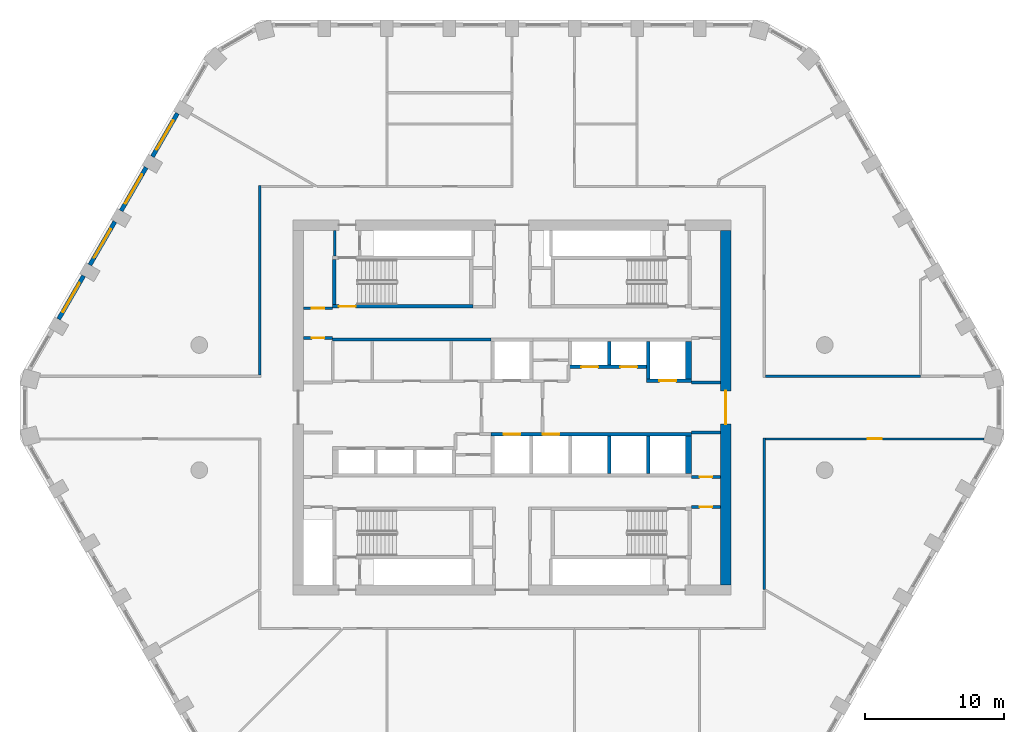
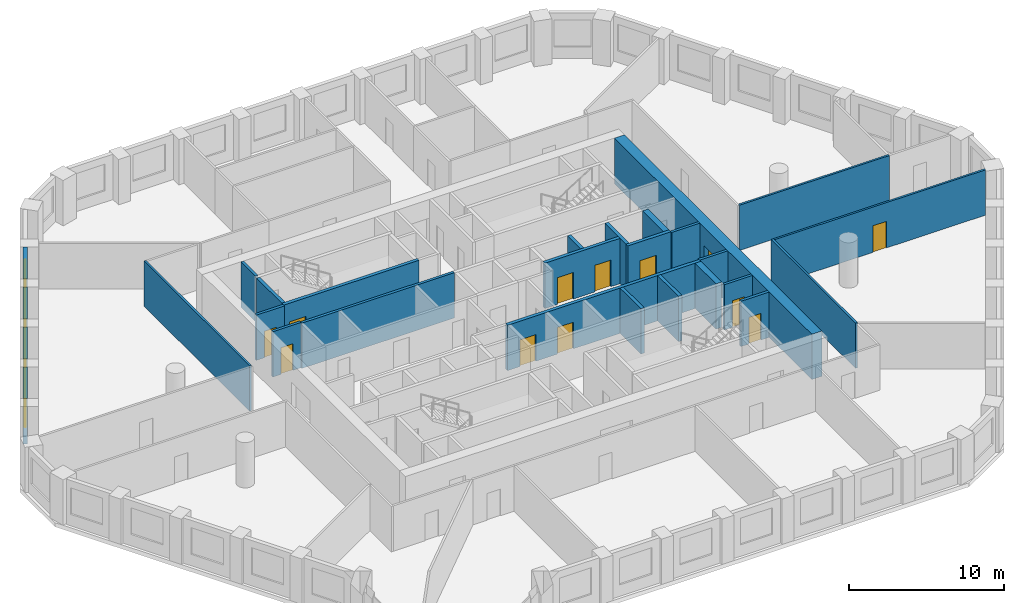
# One storey, part 5 of 9: 28 walls, 12 doors, 4 windows, 16 openings.
"""IFC4 building model written with IfcOpenShell, lengths in metres."""

from ifc_helpers import new_model, si_unit, direction, frame, frame_2d, origin, place, context, subcontext, project, spatial, polyline, rectangle, outline, extrude, material, layer, layer_set, type_object, element, fill, save


model = new_model("IFC4")

# Units and contexts
model_context = context("Model", 3, precision=1e-05, world=origin(), true_north=direction((0.0, 1.0)))
body_context = subcontext(model_context, "Body", "Model", "MODEL_VIEW")
ifc_project = project(units=[si_unit("LENGTHUNIT", "METRE"), si_unit("AREAUNIT", "SQUARE_METRE"), si_unit("VOLUMEUNIT", "CUBIC_METRE"), si_unit("PLANEANGLEUNIT", "RADIAN"), si_unit("MASSUNIT", "GRAM", prefix="KILO")], contexts=[model_context])

# Site, building, storey
site_placement = place(None, origin())
site = spatial("IfcSite", under=ifc_project, at=site_placement, CompositionType="ELEMENT")
building_placement = place(site_placement, origin())
building = spatial("IfcBuilding", under=site, at=building_placement, Name="Dhurran Vertical Campus", CompositionType="ELEMENT")
storey_placement = place(building_placement, frame((0.0, 0.0, 163.800048828125)))
storey = spatial("IfcBuildingStorey", under=building, at=storey_placement, Name="L40", CompositionType="ELEMENT", Elevation=163.800048828125)

# Wall, opening, window
ifc_material_1 = material(Name="Precast concrete C50/60", Category="concrete")
ifc_layer_1 = layer(ifc_material_1, 0.300048828125)
ifc_layer_set_1 = layer_set([ifc_layer_1], Name="Precast concrete C50/60")
wall_type_1 = type_object("IfcWallType", Name="Precast spandrel wall 300", PredefinedType="SOLIDWALL", material=ifc_layer_set_1)
wall_1_placement = place(storey_placement, frame((-24.0693359375, 21.17041015625, 0.0), z_axis=(0.0, 0.0, 1.0), x_axis=(-0.500027802648, -0.866009351323, 0.0)))
wall_1 = element("IfcWall", 1, at=wall_1_placement, inside=storey, type_object=wall_type_1, Name="EW1 L40.33", PredefinedType="SOLIDWALL", context=body_context, shape_type="SweptSolid", body=[
    extrude(rectangle(XDim=3.598876953125, YDim=0.300048828125, at=frame_2d((1.79931640625, 0.0))), origin(), (0.0, 0.0, 1.0), 3.574951171875),
])
opening_1_placement = place(wall_1_placement, frame((0.599609375, 0.0, 0.89990234375)))
opening_1 = element("IfcOpeningElement", 2, at=opening_1_placement, cuts=wall_1, Name="Opening WT1", PredefinedType="OPENING", context=body_context, shape_type="SweptSolid", body=[
    extrude(rectangle(XDim=2.39990234375, YDim=2.10009765625, at=frame_2d((1.199951171875, 1.050048828125))), frame((0.0, 0.159912109375, 0.0), z_axis=(0.0, -1.0, 0.0), x_axis=(1.0, 0.0, 0.0)), (0.0, 0.0, 1.0), 0.320068359375),
])
ifc_material_2 = material(Name="Aluminium frame with solar-control glass", Category="aluminium")
window_type = type_object("IfcWindowType", Name="Punched window 2400 x 2100", PartitioningType="SINGLE_PANEL", PredefinedType="WINDOW", material=ifc_material_2)
window_1_placement = place(opening_1_placement, origin())
window_1 = element("IfcWindow", 3, at=window_1_placement, inside=storey, type_object=window_type, Name="WT1 L40.33", OverallHeight=2.10009765625, OverallWidth=2.39990234375, PartitioningType="SINGLE_PANEL", PredefinedType="WINDOW", context=body_context, shape_type="SweptSolid", body=[
    extrude(rectangle(XDim=2.39990234375, YDim=2.10009765625, at=frame_2d((1.199951171875, 1.050048828125))), frame((0.0, 0.030029296875, 0.0), z_axis=(0.0, -1.0, 0.0), x_axis=(1.0, 0.0, 0.0)), (0.0, 0.0, 1.0), 0.06005859375),
])
fill(opening_1, window_1)

wall_2_placement = place(storey_placement, frame((-26.3193359375, 17.273193359375, 0.0), z_axis=(0.0, 0.0, 1.0), x_axis=(-0.500027802648, -0.866009351323, 0.0)))
wall_2 = element("IfcWall", 4, at=wall_2_placement, inside=storey, type_object=wall_type_1, Name="EW1 L40.34", PredefinedType="SOLIDWALL", context=body_context, shape_type="SweptSolid", body=[
    extrude(rectangle(XDim=3.598876953125, YDim=0.300048828125, at=frame_2d((1.79931640625, 0.0))), origin(), (0.0, 0.0, 1.0), 3.574951171875),
])
opening_2_placement = place(wall_2_placement, frame((0.599609375, 0.0, 0.89990234375)))
opening_2 = element("IfcOpeningElement", 5, at=opening_2_placement, cuts=wall_2, Name="Opening WT1", PredefinedType="OPENING", context=body_context, shape_type="SweptSolid", body=[
    extrude(rectangle(XDim=2.39990234375, YDim=2.10009765625, at=frame_2d((1.199951171875, 1.050048828125))), frame((0.0, 0.159912109375, 0.0), z_axis=(0.0, -1.0, 0.0), x_axis=(1.0, 0.0, 0.0)), (0.0, 0.0, 1.0), 0.320068359375),
])
window_2_placement = place(opening_2_placement, origin())
window_2 = element("IfcWindow", 6, at=window_2_placement, inside=storey, type_object=window_type, Name="WT1 L40.34", OverallHeight=2.10009765625, OverallWidth=2.39990234375, PartitioningType="SINGLE_PANEL", PredefinedType="WINDOW", context=body_context, shape_type="SweptSolid", body=[
    extrude(rectangle(XDim=2.39990234375, YDim=2.10009765625, at=frame_2d((1.199951171875, 1.050048828125))), frame((0.0, 0.030029296875, 0.0), z_axis=(0.0, -1.0, 0.0), x_axis=(1.0, 0.0, 0.0)), (0.0, 0.0, 1.0), 0.06005859375),
])
fill(opening_2, window_2)

wall_3_placement = place(storey_placement, frame((-28.5693359375, 13.376220703125, 0.0), z_axis=(0.0, 0.0, 1.0), x_axis=(-0.500027802648, -0.866009351323, 0.0)))
wall_3 = element("IfcWall", 7, at=wall_3_placement, inside=storey, type_object=wall_type_1, Name="EW1 L40.35", PredefinedType="SOLIDWALL", context=body_context, shape_type="SweptSolid", body=[
    extrude(rectangle(XDim=3.598876953125, YDim=0.300048828125, at=frame_2d((1.79931640625, 0.0))), origin(), (0.0, 0.0, 1.0), 3.574951171875),
])
opening_3_placement = place(wall_3_placement, frame((0.599609375, 0.0, 0.89990234375)))
opening_3 = element("IfcOpeningElement", 8, at=opening_3_placement, cuts=wall_3, Name="Opening WT1", PredefinedType="OPENING", context=body_context, shape_type="SweptSolid", body=[
    extrude(rectangle(XDim=2.39990234375, YDim=2.10009765625, at=frame_2d((1.199951171875, 1.050048828125))), frame((0.0, 0.159912109375, 0.0), z_axis=(0.0, -1.0, 0.0), x_axis=(1.0, 0.0, 0.0)), (0.0, 0.0, 1.0), 0.320068359375),
])
window_3_placement = place(opening_3_placement, origin())
window_3 = element("IfcWindow", 9, at=window_3_placement, inside=storey, type_object=window_type, Name="WT1 L40.35", OverallHeight=2.10009765625, OverallWidth=2.39990234375, PartitioningType="SINGLE_PANEL", PredefinedType="WINDOW", context=body_context, shape_type="SweptSolid", body=[
    extrude(rectangle(XDim=2.39990234375, YDim=2.10009765625, at=frame_2d((1.199951171875, 1.050048828125))), frame((0.0, 0.030029296875, 0.0), z_axis=(0.0, -1.0, 0.0), x_axis=(1.0, 0.0, 0.0)), (0.0, 0.0, 1.0), 0.06005859375),
])
fill(opening_3, window_3)

wall_4_placement = place(storey_placement, frame((-30.8193359375, 9.47900390625, 0.0), z_axis=(0.0, 0.0, 1.0), x_axis=(-0.500027802648, -0.866009351323, 0.0)))
wall_4 = element("IfcWall", 10, at=wall_4_placement, inside=storey, type_object=wall_type_1, Name="EW1 L40.36", PredefinedType="SOLIDWALL", context=body_context, shape_type="SweptSolid", body=[
    extrude(rectangle(XDim=3.598876953125, YDim=0.300048828125, at=frame_2d((1.79931640625, 0.0))), origin(), (0.0, 0.0, 1.0), 3.574951171875),
])
opening_4_placement = place(wall_4_placement, frame((0.599609375, 0.0, 0.89990234375)))
opening_4 = element("IfcOpeningElement", 11, at=opening_4_placement, cuts=wall_4, Name="Opening WT1", PredefinedType="OPENING", context=body_context, shape_type="SweptSolid", body=[
    extrude(rectangle(XDim=2.39990234375, YDim=2.10009765625, at=frame_2d((1.199951171875, 1.050048828125))), frame((0.0, 0.159912109375, 0.0), z_axis=(0.0, -1.0, 0.0), x_axis=(1.0, 0.0, 0.0)), (0.0, 0.0, 1.0), 0.320068359375),
])
window_4_placement = place(opening_4_placement, origin())
window_4 = element("IfcWindow", 12, at=window_4_placement, inside=storey, type_object=window_type, Name="WT1 L40.36", OverallHeight=2.10009765625, OverallWidth=2.39990234375, PartitioningType="SINGLE_PANEL", PredefinedType="WINDOW", context=body_context, shape_type="SweptSolid", body=[
    extrude(rectangle(XDim=2.39990234375, YDim=2.10009765625, at=frame_2d((1.199951171875, 1.050048828125))), frame((0.0, 0.030029296875, 0.0), z_axis=(0.0, -1.0, 0.0), x_axis=(1.0, 0.0, 0.0)), (0.0, 0.0, 1.0), 0.06005859375),
])
fill(opening_4, window_4)

# Wall, opening, door
ifc_material_3 = material(Name="Concrete C60/75", Category="concrete")
ifc_layer_2 = layer(ifc_material_3, 0.75)
ifc_layer_set_2 = layer_set([ifc_layer_2], Name="Concrete C60/75")
wall_type_2 = type_object("IfcWallType", Name="co-CORE-WALL-C1-750", PredefinedType="SHEAR", material=ifc_layer_set_2)
wall_5_placement = place(storey_placement, frame((15.375, -12.75, 0.0), z_axis=(0.0, 0.0, 1.0), x_axis=(0.0, 1.0, 0.0)))
wall_5 = element("IfcWall", 13, at=wall_5_placement, inside=storey, type_object=wall_type_2, Name="Core wall E L40", PredefinedType="SHEAR", context=body_context, shape_type="SweptSolid", body=[
    extrude(rectangle(XDim=25.5, YDim=0.75, at=frame_2d((12.75, 0.0))), origin(), (0.0, 0.0, 1.0), 3.574951171875),
])
opening_5_placement = place(wall_5_placement, frame((11.550048828125, 0.0, 0.0)))
opening_5 = element("IfcOpeningElement", 14, at=opening_5_placement, cuts=wall_5, Name="Opening CL2", PredefinedType="OPENING", context=body_context, shape_type="SweptSolid", body=[
    extrude(rectangle(XDim=2.39990234375, YDim=2.10009765625, at=frame_2d((1.199951171875, 1.050048828125))), frame((0.0, 0.385009765625, 0.0), z_axis=(0.0, -1.0, 0.0), x_axis=(1.0, 0.0, 0.0)), (0.0, 0.0, 1.0), 0.77001953125),
])
ifc_material_4 = material(Name="Fire-rated glazed door set")
door_type_1 = type_object("IfcDoorType", Name="co-D-LOBBY 2400x2100", OperationType="DOUBLE_DOOR_DOUBLE_SWING", PredefinedType="DOOR", material=ifc_material_4)
door_1_placement = place(opening_5_placement, origin())
door_1 = element("IfcDoor", 15, at=door_1_placement, inside=storey, type_object=door_type_1, Name="Lift lobby door E L40", OperationType="DOUBLE_DOOR_DOUBLE_SWING", OverallHeight=2.10009765625, OverallWidth=2.39990234375, PredefinedType="DOOR", context=body_context, shape_type="SweptSolid", body=[
    extrude(rectangle(XDim=2.39990234375, YDim=2.10009765625, at=frame_2d((1.199951171875, 1.050048828125))), frame((0.0, 0.02490234375, 0.0), z_axis=(0.0, -1.0, 0.0), x_axis=(1.0, 0.0, 0.0)), (0.0, 0.0, 1.0), 0.050048828125),
])
fill(opening_5, door_1)

# Wall
ifc_material_5 = material(Name="Fire-rated masonry blockwork", Category="masonry")
ifc_layer_3 = layer(ifc_material_5, 0.199951171875)
ifc_layer_set_3 = layer_set([ifc_layer_3], Name="Fire-rated masonry blockwork")
wall_type_3 = type_object("IfcWallType", Name="co-FIRE-PARTITION-200", PredefinedType="PARTITIONING", material=ifc_layer_set_3)
wall_6_placement = place(storey_placement, frame((-12.75, 10.89990234375, 0.0), z_axis=(0.0, 0.0, 1.0), x_axis=(0.0, 1.0, 0.0)))
element("IfcWall", 16, at=wall_6_placement, inside=storey, type_object=wall_type_3, Name="Core partition pass-ST1-o L40", PredefinedType="PARTITIONING", context=body_context, shape_type="SweptSolid", body=[
    extrude(rectangle(XDim=1.85009765625, YDim=0.199951171875, at=frame_2d((0.925048828125, 0.0))), origin(), (0.0, 0.0, 1.0), 3.574951171875),
])

# Wall, opening, door
wall_7_placement = place(storey_placement, frame((-15.0, 7.14990234375, 0.0), z_axis=(0.0, 0.0, 1.0), x_axis=(1.0, 0.0, 0.0)))
wall_7 = element("IfcWall", 17, at=wall_7_placement, inside=storey, type_object=wall_type_3, Name="Core partition en-NW-w L40", PredefinedType="PARTITIONING", context=body_context, shape_type="SweptSolid", body=[
    extrude(rectangle(XDim=2.10009765625, YDim=0.199951171875, at=frame_2d((1.050048828125, 0.0))), origin(), (0.0, 0.0, 1.0), 3.574951171875),
])
opening_6_placement = place(wall_7_placement, frame((0.60009765625, 0.0, 0.0)))
opening_6 = element("IfcOpeningElement", 18, at=opening_6_placement, cuts=wall_7, Name="Opening T11-C12", PredefinedType="OPENING", context=body_context, shape_type="SweptSolid", body=[
    extrude(rectangle(XDim=0.89990234375, YDim=2.10009765625, at=frame_2d((0.449951171875, 1.050048828125))), frame((0.0, 0.10986328125, 0.0), z_axis=(0.0, -1.0, 0.0), x_axis=(1.0, 0.0, 0.0)), (0.0, 0.0, 1.0), 0.219970703125),
])
ifc_material_6 = material(Name="Fire-rated timber door set", Category="wood")
door_type_2 = type_object("IfcDoorType", Name="co-D-ROOM 900x2100", OperationType="SINGLE_SWING_LEFT", PredefinedType="DOOR", material=ifc_material_6)
door_2_placement = place(opening_6_placement, origin())
door_2 = element("IfcDoor", 19, at=door_2_placement, inside=storey, type_object=door_type_2, Name="Communications room door L40", OperationType="SINGLE_SWING_LEFT", OverallHeight=2.10009765625, OverallWidth=0.89990234375, PredefinedType="DOOR", context=body_context, shape_type="SweptSolid", body=[
    extrude(rectangle(XDim=0.89990234375, YDim=2.10009765625, at=frame_2d((0.449951171875, 1.050048828125))), frame((0.0, 0.02490234375, 0.0), z_axis=(0.0, -1.0, 0.0), x_axis=(1.0, 0.0, 0.0)), (0.0, 0.0, 1.0), 0.050048828125),
])
fill(opening_6, door_2)

wall_8_placement = place(storey_placement, frame((-15.0, 5.0, 0.0), z_axis=(0.0, 0.0, 1.0), x_axis=(1.0, 0.0, 0.0)))
wall_8 = element("IfcWall", 20, at=wall_8_placement, inside=storey, type_object=wall_type_3, Name="Core partition es-NW-w L40", PredefinedType="PARTITIONING", context=body_context, shape_type="SweptSolid", body=[
    extrude(rectangle(XDim=2.10009765625, YDim=0.199951171875, at=frame_2d((1.050048828125, 0.0))), origin(), (0.0, 0.0, 1.0), 3.574951171875),
])
opening_7_placement = place(wall_8_placement, frame((0.60009765625, 0.0, 0.0)))
opening_7 = element("IfcOpeningElement", 21, at=opening_7_placement, cuts=wall_8, Name="Opening T11-C13", PredefinedType="OPENING", context=body_context, shape_type="SweptSolid", body=[
    extrude(rectangle(XDim=0.89990234375, YDim=2.10009765625, at=frame_2d((0.449951171875, 1.050048828125))), frame((0.0, 0.10986328125, 0.0), z_axis=(0.0, -1.0, 0.0), x_axis=(1.0, 0.0, 0.0)), (0.0, 0.0, 1.0), 0.219970703125),
])
door_3_placement = place(opening_7_placement, origin())
door_3 = element("IfcDoor", 22, at=door_3_placement, inside=storey, type_object=door_type_2, Name="Server room door L40", OperationType="SINGLE_SWING_LEFT", OverallHeight=2.10009765625, OverallWidth=0.89990234375, PredefinedType="DOOR", context=body_context, shape_type="SweptSolid", body=[
    extrude(rectangle(XDim=0.89990234375, YDim=2.10009765625, at=frame_2d((0.449951171875, 1.050048828125))), frame((0.0, 0.02490234375, 0.0), z_axis=(0.0, -1.0, 0.0), x_axis=(1.0, 0.0, 0.0)), (0.0, 0.0, 1.0), 0.050048828125),
])
fill(opening_7, door_3)

# Wall
wall_9_placement = place(storey_placement, frame((12.89990234375, 1.800048828125, 0.0), z_axis=(0.0, 0.0, 1.0), x_axis=(1.0, 0.0, 0.0)))
element("IfcWall", 23, at=wall_9_placement, inside=storey, type_object=wall_type_3, Name="Core partition es-NE-l L40", PredefinedType="PARTITIONING", context=body_context, shape_type="SweptSolid", body=[
    extrude(rectangle(XDim=2.10009765625, YDim=0.199951171875, at=frame_2d((1.050048828125, 0.0))), origin(), (0.0, 0.0, 1.0), 3.574951171875),
])

# Wall, opening, door
wall_10_placement = place(storey_placement, frame((12.89990234375, -7.14990234375, 0.0), z_axis=(0.0, 0.0, 1.0), x_axis=(1.0, 0.0, 0.0)))
wall_10 = element("IfcWall", 24, at=wall_10_placement, inside=storey, type_object=wall_type_3, Name="Core partition en-SE-w L40", PredefinedType="PARTITIONING", context=body_context, shape_type="SweptSolid", body=[
    extrude(rectangle(XDim=2.10009765625, YDim=0.199951171875, at=frame_2d((1.050048828125, 0.0))), origin(), (0.0, 0.0, 1.0), 3.574951171875),
])
opening_8_placement = place(wall_10_placement, frame((0.60009765625, 0.0, 0.0)))
opening_8 = element("IfcOpeningElement", 25, at=opening_8_placement, cuts=wall_10, Name="Opening T11-C18", PredefinedType="OPENING", context=body_context, shape_type="SweptSolid", body=[
    extrude(rectangle(XDim=0.89990234375, YDim=2.10009765625, at=frame_2d((0.449951171875, 1.050048828125))), frame((0.0, 0.10986328125, 0.0), z_axis=(0.0, -1.0, 0.0), x_axis=(1.0, 0.0, 0.0)), (0.0, 0.0, 1.0), 0.219970703125),
])
door_4_placement = place(opening_8_placement, origin())
door_4 = element("IfcDoor", 26, at=door_4_placement, inside=storey, type_object=door_type_2, Name="Print room door L40", OperationType="SINGLE_SWING_LEFT", OverallHeight=2.10009765625, OverallWidth=0.89990234375, PredefinedType="DOOR", context=body_context, shape_type="SweptSolid", body=[
    extrude(rectangle(XDim=0.89990234375, YDim=2.10009765625, at=frame_2d((0.449951171875, 1.050048828125))), frame((0.0, 0.02490234375, 0.0), z_axis=(0.0, -1.0, 0.0), x_axis=(1.0, 0.0, 0.0)), (0.0, 0.0, 1.0), 0.050048828125),
])
fill(opening_8, door_4)

wall_11_placement = place(storey_placement, frame((12.89990234375, -5.0, 0.0), z_axis=(0.0, 0.0, 1.0), x_axis=(1.0, 0.0, 0.0)))
wall_11 = element("IfcWall", 27, at=wall_11_placement, inside=storey, type_object=wall_type_3, Name="Core partition es-SE-w L40", PredefinedType="PARTITIONING", context=body_context, shape_type="SweptSolid", body=[
    extrude(rectangle(XDim=2.10009765625, YDim=0.199951171875, at=frame_2d((1.050048828125, 0.0))), origin(), (0.0, 0.0, 1.0), 3.574951171875),
])
opening_9_placement = place(wall_11_placement, frame((0.60009765625, 0.0, 0.0)))
opening_9 = element("IfcOpeningElement", 28, at=opening_9_placement, cuts=wall_11, Name="Opening T11-C19", PredefinedType="OPENING", context=body_context, shape_type="SweptSolid", body=[
    extrude(rectangle(XDim=0.89990234375, YDim=2.10009765625, at=frame_2d((0.449951171875, 1.050048828125))), frame((0.0, 0.10986328125, 0.0), z_axis=(0.0, -1.0, 0.0), x_axis=(1.0, 0.0, 0.0)), (0.0, 0.0, 1.0), 0.219970703125),
])
door_5_placement = place(opening_9_placement, origin())
door_5 = element("IfcDoor", 29, at=door_5_placement, inside=storey, type_object=door_type_2, Name="Pantry door L40", OperationType="SINGLE_SWING_LEFT", OverallHeight=2.10009765625, OverallWidth=0.89990234375, PredefinedType="DOOR", context=body_context, shape_type="SweptSolid", body=[
    extrude(rectangle(XDim=0.89990234375, YDim=2.10009765625, at=frame_2d((0.449951171875, 1.050048828125))), frame((0.0, 0.02490234375, 0.0), z_axis=(0.0, -1.0, 0.0), x_axis=(1.0, 0.0, 0.0)), (0.0, 0.0, 1.0), 0.050048828125),
])
fill(opening_9, door_5)

# Walls
wall_12_placement = place(storey_placement, frame((12.89990234375, -1.800048828125, 0.0), z_axis=(0.0, 0.0, 1.0), x_axis=(1.0, 0.0, 0.0)))
element("IfcWall", 30, at=wall_12_placement, inside=storey, type_object=wall_type_3, Name="Core partition es-SE-l L40", PredefinedType="PARTITIONING", context=body_context, shape_type="SweptSolid", body=[
    extrude(rectangle(XDim=2.10009765625, YDim=0.199951171875, at=frame_2d((1.050048828125, 0.0))), origin(), (0.0, 0.0, 1.0), 3.574951171875),
])
wall_13_placement = place(storey_placement, frame((-12.89990234375, 4.89990234375, 0.0), z_axis=(0.0, 0.0, 1.0), x_axis=(1.0, 0.0, 0.0)))
element("IfcWall", 31, at=wall_13_placement, inside=storey, type_object=wall_type_3, Name="Core partition fr-N0-b L40", PredefinedType="PARTITIONING", context=body_context, shape_type="SweptSolid", body=[
    extrude(rectangle(XDim=11.375, YDim=0.199951171875, at=frame_2d((5.6875, 0.0))), origin(), (0.0, 0.0, 1.0), 3.574951171875),
])

# Wall, openings, doors
ifc_material_7 = material(Name="Concrete C50/60", Category="concrete")
ifc_layer_4 = layer(ifc_material_7, 0.25)
ifc_layer_set_4 = layer_set([ifc_layer_4], Name="Concrete C50/60")
wall_type_4 = type_object("IfcWallType", Name="co-SHAFT-FRONT-250", PredefinedType="SHEAR", material=ifc_layer_set_4)
wall_14_placement = place(storey_placement, frame((4.074951171875, 2.925048828125, 0.0), z_axis=(0.0, 0.0, 1.0), x_axis=(1.0, 0.0, 0.0)))
wall_14 = element("IfcWall", 32, at=wall_14_placement, inside=storey, type_object=wall_type_4, Name="Lift landing wall N L40", PredefinedType="SHEAR", context=body_context, shape_type="SweptSolid", body=[
    extrude(rectangle(XDim=5.85009765625, YDim=0.25, at=frame_2d((2.925048828125, 0.0))), origin(), (0.0, 0.0, 1.0), 3.574951171875),
])
opening_10_placement = place(wall_14_placement, frame((0.925048828125, 0.0, 0.0)))
opening_10 = element("IfcOpeningElement", 33, at=opening_10_placement, cuts=wall_14, Name="Opening LD", PredefinedType="OPENING", context=body_context, shape_type="SweptSolid", body=[
    extrude(rectangle(XDim=1.199951171875, YDim=2.10009765625, at=frame_2d((0.60009765625, 1.050048828125))), frame((0.0, 0.135009765625, 0.0), z_axis=(0.0, -1.0, 0.0), x_axis=(1.0, 0.0, 0.0)), (0.0, 0.0, 1.0), 0.27001953125),
])
opening_11_placement = place(wall_14_placement, frame((3.72509765625, 0.0, 0.0)))
opening_11 = element("IfcOpeningElement", 34, at=opening_11_placement, cuts=wall_14, Name="Opening LD", PredefinedType="OPENING", context=body_context, shape_type="SweptSolid", body=[
    extrude(rectangle(XDim=1.199951171875, YDim=2.10009765625, at=frame_2d((0.60009765625, 1.050048828125))), frame((0.0, 0.135009765625, 0.0), z_axis=(0.0, -1.0, 0.0), x_axis=(1.0, 0.0, 0.0)), (0.0, 0.0, 1.0), 0.27001953125),
])
ifc_material_8 = material(Name="Stainless steel landing door", Category="steel")
door_type_3 = type_object("IfcDoorType", Name="co-D-LANDING 1200x2100", OperationType="DOUBLE_DOOR_SLIDING", PredefinedType="DOOR", material=ifc_material_8)
door_6_placement = place(opening_10_placement, origin())
door_6 = element("IfcDoor", 35, at=door_6_placement, inside=storey, type_object=door_type_3, Name="Landing door MR1 L40", OperationType="DOUBLE_DOOR_SLIDING", OverallHeight=2.10009765625, OverallWidth=1.199951171875, PredefinedType="DOOR", context=body_context, shape_type="SweptSolid", body=[
    extrude(rectangle(XDim=1.199951171875, YDim=2.10009765625, at=frame_2d((0.60009765625, 1.050048828125))), frame((0.0, 0.02490234375, 0.0), z_axis=(0.0, -1.0, 0.0), x_axis=(1.0, 0.0, 0.0)), (0.0, 0.0, 1.0), 0.050048828125),
])
fill(opening_10, door_6)
door_7_placement = place(opening_11_placement, origin())
door_7 = element("IfcDoor", 36, at=door_7_placement, inside=storey, type_object=door_type_3, Name="Landing door MR2 L40", OperationType="DOUBLE_DOOR_SLIDING", OverallHeight=2.10009765625, OverallWidth=1.199951171875, PredefinedType="DOOR", context=body_context, shape_type="SweptSolid", body=[
    extrude(rectangle(XDim=1.199951171875, YDim=2.10009765625, at=frame_2d((0.60009765625, 1.050048828125))), frame((0.0, 0.02490234375, 0.0), z_axis=(0.0, -1.0, 0.0), x_axis=(1.0, 0.0, 0.0)), (0.0, 0.0, 1.0), 0.050048828125),
])
fill(opening_11, door_7)

# Wall, opening, door
wall_15_placement = place(storey_placement, frame((9.675048828125, 1.925048828125, 0.0), z_axis=(0.0, 0.0, 1.0), x_axis=(1.0, 0.0, 0.0)))
wall_15 = element("IfcWall", 37, at=wall_15_placement, inside=storey, type_object=wall_type_4, Name="Lift landing wall N L40", PredefinedType="SHEAR", context=body_context, shape_type="SweptSolid", body=[
    extrude(rectangle(XDim=3.224853515625, YDim=0.25, at=frame_2d((1.6123046875, 0.0))), origin(), (0.0, 0.0, 1.0), 3.574951171875),
])
opening_12_placement = place(wall_15_placement, frame((0.925048828125, 0.0, 0.0)))
opening_12 = element("IfcOpeningElement", 38, at=opening_12_placement, cuts=wall_15, Name="Opening LD", PredefinedType="OPENING", context=body_context, shape_type="SweptSolid", body=[
    extrude(rectangle(XDim=1.199951171875, YDim=2.10009765625, at=frame_2d((0.60009765625, 1.050048828125))), frame((0.0, 0.135009765625, 0.0), z_axis=(0.0, -1.0, 0.0), x_axis=(1.0, 0.0, 0.0)), (0.0, 0.0, 1.0), 0.27001953125),
])
door_8_placement = place(opening_12_placement, origin())
door_8 = element("IfcDoor", 39, at=door_8_placement, inside=storey, type_object=door_type_3, Name="Landing door SV2 L40", OperationType="DOUBLE_DOOR_SLIDING", OverallHeight=2.10009765625, OverallWidth=1.199951171875, PredefinedType="DOOR", context=body_context, shape_type="SweptSolid", body=[
    extrude(rectangle(XDim=1.199951171875, YDim=2.10009765625, at=frame_2d((0.60009765625, 1.050048828125))), frame((0.0, 0.02490234375, 0.0), z_axis=(0.0, -1.0, 0.0), x_axis=(1.0, 0.0, 0.0)), (0.0, 0.0, 1.0), 0.050048828125),
])
fill(opening_12, door_8)

# Wall, openings, doors
wall_16_placement = place(storey_placement, frame((-1.52490234375, -1.925048828125, 0.0), z_axis=(0.0, 0.0, 1.0), x_axis=(1.0, 0.0, 0.0)))
wall_16 = element("IfcWall", 40, at=wall_16_placement, inside=storey, type_object=wall_type_4, Name="Lift landing wall S L40", PredefinedType="SHEAR", context=body_context, shape_type="SweptSolid", body=[
    extrude(rectangle(XDim=14.4248046875, YDim=0.25, at=frame_2d((7.21240234375, 0.0))), origin(), (0.0, 0.0, 1.0), 3.574951171875),
])
opening_13_placement = place(wall_16_placement, frame((0.925048828125, 0.0, 0.0)))
opening_13 = element("IfcOpeningElement", 41, at=opening_13_placement, cuts=wall_16, Name="Opening LD", PredefinedType="OPENING", context=body_context, shape_type="SweptSolid", body=[
    extrude(rectangle(XDim=1.199951171875, YDim=2.10009765625, at=frame_2d((0.60009765625, 1.050048828125))), frame((0.0, 0.135009765625, 0.0), z_axis=(0.0, -1.0, 0.0), x_axis=(1.0, 0.0, 0.0)), (0.0, 0.0, 1.0), 0.27001953125),
])
opening_14_placement = place(wall_16_placement, frame((3.72509765625, 0.0, 0.0)))
opening_14 = element("IfcOpeningElement", 42, at=opening_14_placement, cuts=wall_16, Name="Opening LD", PredefinedType="OPENING", context=body_context, shape_type="SweptSolid", body=[
    extrude(rectangle(XDim=1.199951171875, YDim=2.10009765625, at=frame_2d((0.60009765625, 1.050048828125))), frame((0.0, 0.135009765625, 0.0), z_axis=(0.0, -1.0, 0.0), x_axis=(1.0, 0.0, 0.0)), (0.0, 0.0, 1.0), 0.27001953125),
])
door_9_placement = place(opening_13_placement, origin())
door_9 = element("IfcDoor", 43, at=door_9_placement, inside=storey, type_object=door_type_3, Name="Landing door FF2 L40", OperationType="DOUBLE_DOOR_SLIDING", OverallHeight=2.10009765625, OverallWidth=1.199951171875, PredefinedType="DOOR", context=body_context, shape_type="SweptSolid", body=[
    extrude(rectangle(XDim=1.199951171875, YDim=2.10009765625, at=frame_2d((0.60009765625, 1.050048828125))), frame((0.0, 0.02490234375, 0.0), z_axis=(0.0, -1.0, 0.0), x_axis=(1.0, 0.0, 0.0)), (0.0, 0.0, 1.0), 0.050048828125),
])
fill(opening_13, door_9)
door_10_placement = place(opening_14_placement, origin())
door_10 = element("IfcDoor", 44, at=door_10_placement, inside=storey, type_object=door_type_3, Name="Landing door SV1 L40", OperationType="DOUBLE_DOOR_SLIDING", OverallHeight=2.10009765625, OverallWidth=1.199951171875, PredefinedType="DOOR", context=body_context, shape_type="SweptSolid", body=[
    extrude(rectangle(XDim=1.199951171875, YDim=2.10009765625, at=frame_2d((0.60009765625, 1.050048828125))), frame((0.0, 0.02490234375, 0.0), z_axis=(0.0, -1.0, 0.0), x_axis=(1.0, 0.0, 0.0)), (0.0, 0.0, 1.0), 0.050048828125),
])
fill(opening_14, door_10)

# Walls
ifc_material_9 = material(Name="Concrete C50/60", Category="concrete")
ifc_layer_5 = layer(ifc_material_9, 0.25)
ifc_layer_set_5 = layer_set([ifc_layer_5], Name="Concrete C50/60")
wall_type_5 = type_object("IfcWallType", Name="co-SHAFT-MASS-250", PredefinedType="SHEAR", material=ifc_layer_set_5)
wall_17_placement = place(storey_placement, origin())
element("IfcWall", 45, at=wall_17_placement, inside=storey, type_object=wall_type_5, Name="Lift shaft wall N L40 5", PredefinedType="SHEAR", context=body_context, shape_type="SweptSolid", body=[
    extrude(outline(polyline([(9.675048828125, 2.050048828125), (9.925048828125, 2.050048828125), (9.925048828125, 4.75), (9.675048828125, 4.75), (9.675048828125, 2.050048828125)])), origin(), (0.0, 0.0, 1.0), 3.574951171875),
])
wall_18_placement = place(storey_placement, origin())
element("IfcWall", 46, at=wall_18_placement, inside=storey, type_object=wall_type_5, Name="Lift shaft wall N L40 6", PredefinedType="SHEAR", context=body_context, shape_type="SweptSolid", body=[
    extrude(outline(polyline([(12.47509765625, 2.050048828125), (12.89990234375, 2.050048828125), (12.89990234375, 4.75), (12.47509765625, 4.75), (12.47509765625, 2.050048828125)])), origin(), (0.0, 0.0, 1.0), 3.574951171875),
])
wall_19_placement = place(storey_placement, origin())
element("IfcWall", 47, at=wall_19_placement, inside=storey, type_object=wall_type_5, Name="Lift shaft wall N L40 8", PredefinedType="SHEAR", context=body_context, shape_type="SweptSolid", body=[
    extrude(outline(polyline([(6.875, 3.050048828125), (7.125, 3.050048828125), (7.125, 4.75), (6.875, 4.75), (6.875, 3.050048828125)])), origin(), (0.0, 0.0, 1.0), 3.574951171875),
])
wall_20_placement = place(storey_placement, origin())
element("IfcWall", 48, at=wall_20_placement, inside=storey, type_object=wall_type_5, Name="Lift shaft wall S L40 10", PredefinedType="SHEAR", context=body_context, shape_type="SweptSolid", body=[
    extrude(outline(polyline([(6.875, -4.75), (7.125, -4.75), (7.125, -2.050048828125), (6.875, -2.050048828125), (6.875, -4.75)])), origin(), (0.0, 0.0, 1.0), 3.574951171875),
])
wall_21_placement = place(storey_placement, origin())
element("IfcWall", 49, at=wall_21_placement, inside=storey, type_object=wall_type_5, Name="Lift shaft wall S L40 11", PredefinedType="SHEAR", context=body_context, shape_type="SweptSolid", body=[
    extrude(outline(polyline([(9.675048828125, -4.75), (9.925048828125, -4.75), (9.925048828125, -2.050048828125), (9.675048828125, -2.050048828125), (9.675048828125, -4.75)])), origin(), (0.0, 0.0, 1.0), 3.574951171875),
])
wall_22_placement = place(storey_placement, origin())
element("IfcWall", 50, at=wall_22_placement, inside=storey, type_object=wall_type_5, Name="Lift shaft wall S L40 12", PredefinedType="SHEAR", context=body_context, shape_type="SweptSolid", body=[
    extrude(outline(polyline([(12.47509765625, -4.75), (12.89990234375, -4.75), (12.89990234375, -2.050048828125), (12.47509765625, -2.050048828125), (12.47509765625, -4.75)])), origin(), (0.0, 0.0, 1.0), 3.574951171875),
])

# Wall, opening, door
ifc_material_10 = material(Name="Concrete C40/50", Category="concrete")
ifc_layer_6 = layer(ifc_material_10, 0.25)
ifc_layer_set_6 = layer_set([ifc_layer_6], Name="Concrete C40/50")
wall_type_6 = type_object("IfcWallType", Name="co-STAIR-WALL-250", PredefinedType="SHEAR", material=ifc_layer_set_6)
wall_23_placement = place(storey_placement, frame((-12.89990234375, 7.27490234375, 0.0), z_axis=(0.0, 0.0, 1.0), x_axis=(1.0, 0.0, 0.0)))
wall_23 = element("IfcWall", 51, at=wall_23_placement, inside=storey, type_object=wall_type_6, Name="Stair ST1 enclosure wall L40", PredefinedType="SHEAR", context=body_context, shape_type="SweptSolid", body=[
    extrude(rectangle(XDim=10.099853515625, YDim=0.25, at=frame_2d((5.0498046875, 0.0))), origin(), (0.0, 0.0, 1.0), 3.574951171875),
])
opening_15_placement = place(wall_23_placement, frame((0.449951171875, 0.0, 0.0)))
opening_15 = element("IfcOpeningElement", 52, at=opening_15_placement, cuts=wall_23, Name="Opening SD1", PredefinedType="OPENING", context=body_context, shape_type="SweptSolid", body=[
    extrude(rectangle(XDim=1.199951171875, YDim=2.10009765625, at=frame_2d((0.60009765625, 1.050048828125))), frame((0.0, 0.135009765625, 0.0), z_axis=(0.0, -1.0, 0.0), x_axis=(1.0, 0.0, 0.0)), (0.0, 0.0, 1.0), 0.27001953125),
])
ifc_material_11 = material(Name="Fire-rated steel door set", Category="steel")
door_type_4 = type_object("IfcDoorType", Name="co-D-STAIR 1200x2100", OperationType="SINGLE_SWING_LEFT", PredefinedType="DOOR", material=ifc_material_11)
door_11_placement = place(opening_15_placement, origin())
door_11 = element("IfcDoor", 53, at=door_11_placement, inside=storey, type_object=door_type_4, Name="Stair ST1 door L40", OperationType="SINGLE_SWING_LEFT", OverallHeight=2.10009765625, OverallWidth=1.199951171875, PredefinedType="DOOR", context=body_context, shape_type="SweptSolid", body=[
    extrude(rectangle(XDim=1.199951171875, YDim=2.10009765625, at=frame_2d((0.60009765625, 1.050048828125))), frame((0.0, 0.02490234375, 0.0), z_axis=(0.0, -1.0, 0.0), x_axis=(1.0, 0.0, 0.0)), (0.0, 0.0, 1.0), 0.050048828125),
])
fill(opening_15, door_11)

# Walls
wall_24_placement = place(storey_placement, frame((-12.77490234375, 7.39990234375, 0.0), z_axis=(0.0, 0.0, 1.0), x_axis=(0.0, 1.0, 0.0)))
element("IfcWall", 54, at=wall_24_placement, inside=storey, type_object=wall_type_6, Name="Stair ST1 enclosure wall L40", PredefinedType="SHEAR", context=body_context, shape_type="SweptSolid", body=[
    extrude(rectangle(XDim=3.25, YDim=0.25, at=frame_2d((1.625, 0.0))), origin(), (0.0, 0.0, 1.0), 3.574951171875),
])
ifc_material_12 = material(Name="Gypsum board corridor wall on steel studs", Category="steel")
ifc_layer_7 = layer(ifc_material_12, 0.14990234375)
ifc_layer_set_7 = layer_set([ifc_layer_7], Name="Gypsum board corridor wall on steel studs")
wall_type_7 = type_object("IfcWallType", Name="fl-CW-150 corridor wall", PredefinedType="PARTITIONING", material=ifc_layer_set_7)
wall_25_placement = place(storey_placement, frame((-18.14990234375, 15.97509765625, 0.0), z_axis=(0.0, 0.0, 1.0), x_axis=(0.0, -1.0, 0.0)))
element("IfcWall", 55, at=wall_25_placement, inside=storey, type_object=wall_type_7, Name="Partition 40-09", PredefinedType="PARTITIONING", context=body_context, shape_type="SweptSolid", body=[
    extrude(rectangle(XDim=13.650146484375, YDim=0.14990234375, at=frame_2d((6.8251953125, 0.0))), origin(), (0.0, 0.0, 1.0), 3.574951171875),
])
wall_26_placement = place(storey_placement, frame((18.14990234375, -13.076904296875, 0.0), z_axis=(0.0, 0.0, 1.0), x_axis=(0.0, 1.0, 0.0)))
element("IfcWall", 56, at=wall_26_placement, inside=storey, type_object=wall_type_7, Name="Partition 40-39", PredefinedType="PARTITIONING", context=body_context, shape_type="SweptSolid", body=[
    extrude(rectangle(XDim=10.90185546875, YDim=0.14990234375, at=frame_2d((5.450927734375, 0.0))), origin(), (0.0, 0.0, 1.0), 3.574951171875),
])

# Wall, opening, door
wall_27_placement = place(storey_placement, frame((33.9677734375, -2.25, 0.0), z_axis=(0.0, 0.0, 1.0), x_axis=(-1.0, 0.0, 0.0)))
wall_27 = element("IfcWall", 57, at=wall_27_placement, inside=storey, type_object=wall_type_7, Name="Partition 40-41", PredefinedType="PARTITIONING", context=body_context, shape_type="SweptSolid", body=[
    extrude(rectangle(XDim=15.74267578125, YDim=0.14990234375, at=frame_2d((7.871337890625, 0.0))), origin(), (0.0, 0.0, 1.0), 3.574951171875),
])
opening_16_placement = place(wall_27_placement, frame((7.371337890625, 0.0, 0.0)))
opening_16 = element("IfcOpeningElement", 58, at=opening_16_placement, cuts=wall_27, Name="Opening T11.16", PredefinedType="OPENING", context=body_context, shape_type="SweptSolid", body=[
    extrude(rectangle(XDim=1.0, YDim=2.10009765625, at=frame_2d((0.5, 1.050048828125))), frame((0.0, 0.0849609375, 0.0), z_axis=(0.0, -1.0, 0.0), x_axis=(1.0, 0.0, 0.0)), (0.0, 0.0, 1.0), 0.169921875),
])
ifc_material_13 = material(Name="Solid-core timber door set, fire-rated", Category="wood")
door_type_5 = type_object("IfcDoorType", Name="fl-D-1000x2100", OperationType="SINGLE_SWING_LEFT", PredefinedType="DOOR", material=ifc_material_13)
door_12_placement = place(opening_16_placement, origin())
door_12 = element("IfcDoor", 59, at=door_12_placement, inside=storey, type_object=door_type_5, Name="Door 40.16", OperationType="SINGLE_SWING_RIGHT", OverallHeight=2.10009765625, OverallWidth=1.0, PredefinedType="DOOR", context=body_context, shape_type="SweptSolid", body=[
    extrude(rectangle(XDim=1.0, YDim=2.10009765625, at=frame_2d((0.5, 1.050048828125))), frame((0.0, 0.02490234375, 0.0), z_axis=(0.0, -1.0, 0.0), x_axis=(1.0, 0.0, 0.0)), (0.0, 0.0, 1.0), 0.050048828125),
])
fill(opening_16, door_12)

# Wall
wall_28_placement = place(storey_placement, frame((18.22509765625, 2.25, 0.0), z_axis=(0.0, 0.0, 1.0), x_axis=(1.0, 0.0, 0.0)))
element("IfcWall", 60, at=wall_28_placement, inside=storey, type_object=wall_type_7, Name="Partition 40-43", PredefinedType="PARTITIONING", context=body_context, shape_type="SweptSolid", body=[
    extrude(rectangle(XDim=11.1748046875, YDim=0.14990234375, at=frame_2d((5.58740234375, 0.0))), origin(), (0.0, 0.0, 1.0), 3.574951171875),
])

save(model, "model.ifc")
